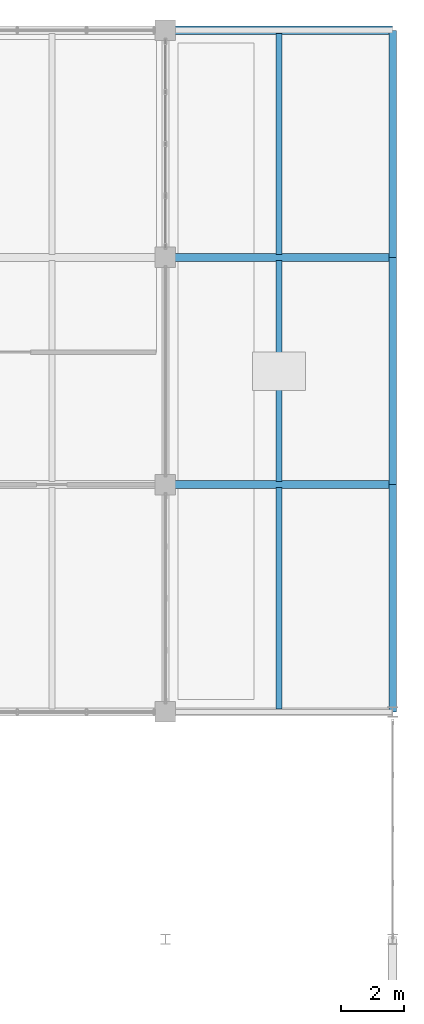
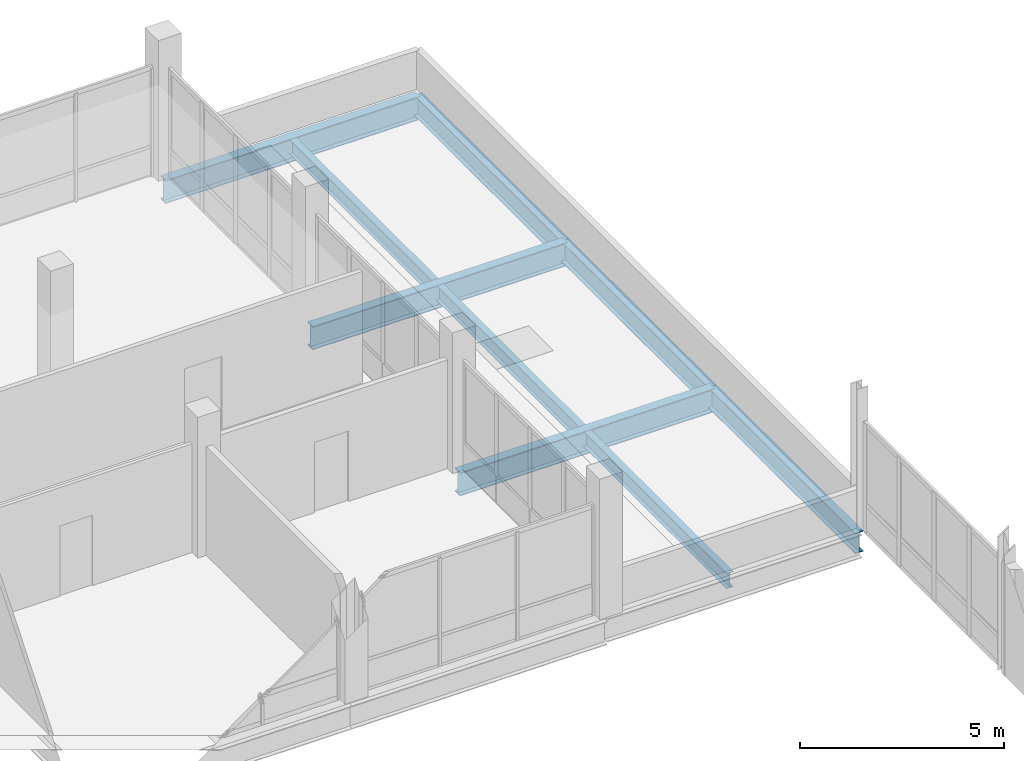
# One storey, part 67 of 102: 9 beams.
"""IFC4 building model written with IfcOpenShell, lengths in metres."""

from ifc_helpers import new_model, si_unit, direction, frame, origin, origin_2d, place, context, subcontext, project, spatial, i_section, extrude, material, material_profile, profile_set, type_object, element, save


model = new_model("IFC4")

# Units and contexts
model_context = context("Model", 3, precision=1e-05, world=origin(), true_north=direction((0.0, 1.0)))
body_context = subcontext(model_context, "Body", "Model", "MODEL_VIEW")
ifc_project = project(units=[si_unit("LENGTHUNIT", "METRE"), si_unit("AREAUNIT", "SQUARE_METRE"), si_unit("VOLUMEUNIT", "CUBIC_METRE"), si_unit("PLANEANGLEUNIT", "RADIAN"), si_unit("MASSUNIT", "GRAM", prefix="KILO")], contexts=[model_context])

# Site, building, storey
site_placement = place(None, origin())
site = spatial("IfcSite", under=ifc_project, at=site_placement, CompositionType="ELEMENT")
building_placement = place(site_placement, origin())
building = spatial("IfcBuilding", under=site, at=building_placement, Name="Yarey Park Central Fire Station", CompositionType="ELEMENT")
storey_placement = place(building_placement, frame((0.0, 0.0, 6.0)))
storey = spatial("IfcBuildingStorey", under=building, at=storey_placement, Name="L02", CompositionType="ELEMENT", Elevation=6.0)

# Beams
ifc_material = material(Name="Steel ASTM A992 Gr. 50", Category="steel")
ifc_material_profile_1 = material_profile(ifc_material, i_section(OverallWidth=0.22900390625, OverallDepth=0.612060546875, WebThickness=0.011962890625, FlangeThickness=0.01953125, at=origin_2d()), Name="W610x125")
ifc_profile_set_1 = profile_set([ifc_material_profile_1], Name="Steel ASTM A992 Gr. 50")
beam_type_1 = type_object("IfcBeamType", Name="STR_BM_W610", PredefinedType="BEAM", material=ifc_profile_set_1)
for number, where, z_axis, x_axis, name in (
    (1, (165.60009765625, 93.60009765625, -0.51611328125), (0.0, 1.0, 0.0), (-1.0, 0.0, 0.0), "BMY L02 X1656 Y936"),
    (2, (165.60009765625, 100.800048828125, -0.51611328125), (0.0, 1.0, 0.0), (-1.0, 0.0, 0.0), "BMY L02 X1656 Y1008"),
    (3, (165.60009765625, 108.0, -0.51611328125), (0.0, 1.0, 0.0), (-1.0, 0.0, 0.0), "BMY L02 X1656 Y1080"),
):
    element("IfcBeam", number, at=place(storey_placement, frame(where, z_axis=z_axis, x_axis=x_axis)), inside=storey, type_object=beam_type_1, Name=name, PredefinedType="BEAM", context=body_context, shape_type="SweptSolid", body=[
        extrude(i_section(OverallWidth=0.22900390625, OverallDepth=0.612060546875, WebThickness=0.011962890625, FlangeThickness=0.01953125, at=origin_2d()), origin(), (0.0, 0.0, 1.0), 7.199951171875),
    ])
ifc_material_profile_2 = material_profile(ifc_material, i_section(OverallWidth=0.256103515625, OverallDepth=0.693115234375, WebThickness=0.014404296875, FlangeThickness=0.023681640625, at=origin_2d()), Name="W690x170")
ifc_profile_set_2 = profile_set([ifc_material_profile_2], Name="Steel ASTM A992 Gr. 50")
beam_type_2 = type_object("IfcBeamType", Name="STR_BM_W690", PredefinedType="BEAM", material=ifc_profile_set_2)
for number, where, z_axis, x_axis, name in (
    (4, (158.39990234375, 100.800048828125, -0.556396484375), (1.0, 0.0, 0.0), (0.0, 1.0, 0.0), "BMX L02 Y1008 X1584"),
    (5, (158.39990234375, 108.0, -0.556396484375), (1.0, 0.0, 0.0), (0.0, 1.0, 0.0), "BMX L02 Y1080 X1584"),
    (6, (158.39990234375, 115.199951171875, -0.556396484375), (1.0, 0.0, 0.0), (0.0, 1.0, 0.0), "BMX L02 Y1152 X1584"),
):
    element("IfcBeam", number, at=place(storey_placement, frame(where, z_axis=z_axis, x_axis=x_axis)), inside=storey, type_object=beam_type_2, Name=name, PredefinedType="BEAM", context=body_context, shape_type="SweptSolid", body=[
        extrude(i_section(OverallWidth=0.256103515625, OverallDepth=0.693115234375, WebThickness=0.014404296875, FlangeThickness=0.023681640625, at=origin_2d()), origin(), (0.0, 0.0, 1.0), 7.2001953125),
    ])
ifc_material_profile_3 = material_profile(ifc_material, i_section(OverallWidth=0.18994140625, OverallDepth=0.45703125, WebThickness=0.009033203125, FlangeThickness=0.014404296875, at=origin_2d()), Name="W460x74")
ifc_profile_set_3 = profile_set([ifc_material_profile_3], Name="Steel ASTM A992 Gr. 50")
beam_type_3 = type_object("IfcBeamType", Name="STR_JST_W460", PredefinedType="JOIST", material=ifc_profile_set_3)
for number, where, z_axis, x_axis, name in (
    (7, (162.0, 93.695068359375, -0.4384765625), (0.0, 1.0, 0.0), (-1.0, 0.0, 0.0), "JST L02 X1620 Y936"),
    (8, (162.0, 100.89501953125, -0.4384765625), (0.0, 1.0, 0.0), (-1.0, 0.0, 0.0), "JST L02 X1620 Y1008"),
    (9, (162.0, 108.094970703125, -0.4384765625), (0.0, 1.0, 0.0), (-1.0, 0.0, 0.0), "JST L02 X1620 Y1080"),
):
    element("IfcBeam", number, at=place(storey_placement, frame(where, z_axis=z_axis, x_axis=x_axis)), inside=storey, type_object=beam_type_3, Name=name, PredefinedType="JOIST", context=body_context, shape_type="SweptSolid", body=[
        extrude(i_section(OverallWidth=0.18994140625, OverallDepth=0.45703125, WebThickness=0.009033203125, FlangeThickness=0.014404296875, at=origin_2d()), origin(), (0.0, 0.0, 1.0), 7.010009765625),
    ])

save(model, "model.ifc")
